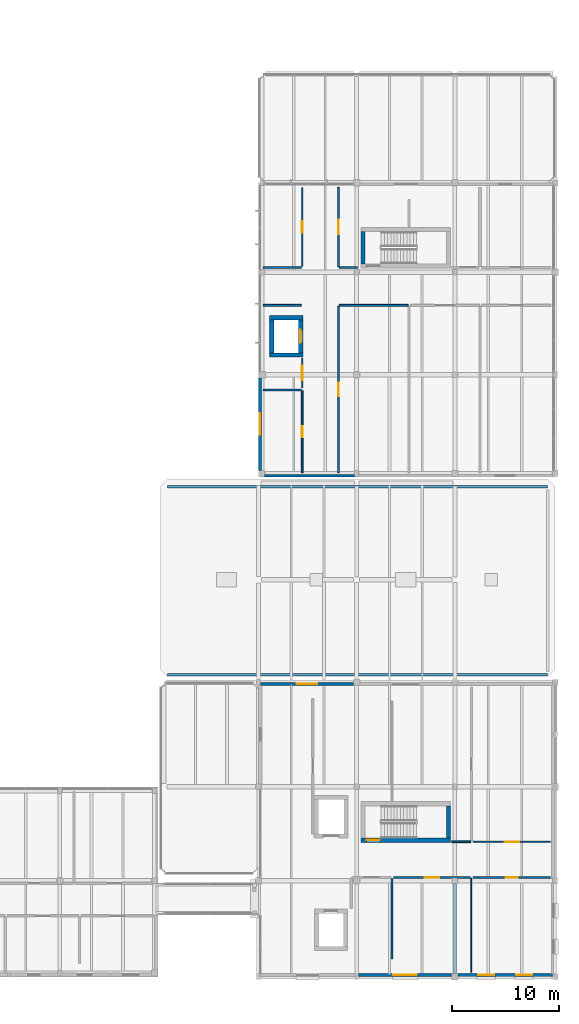
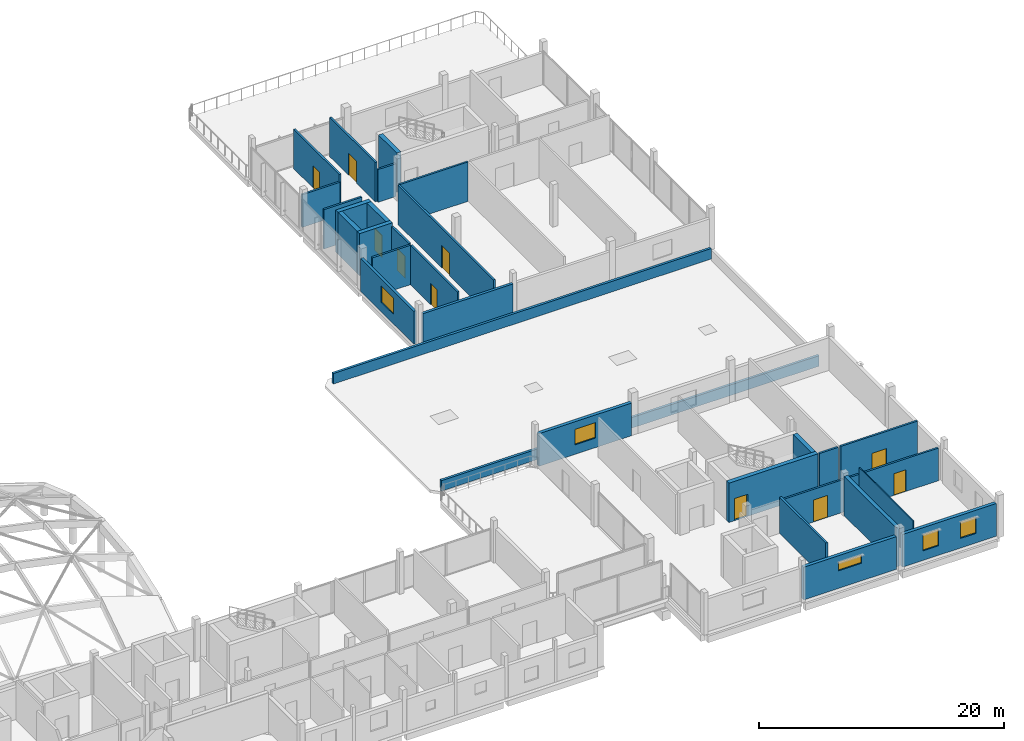
# One storey, part 28 of 41: 31 walls, 10 doors, 5 windows, 15 openings.
"""IFC4 building model written with IfcOpenShell, lengths in metres."""

from ifc_helpers import new_model, si_unit, direction, frame, frame_2d, origin, place, context, subcontext, project, spatial, rectangle, extrude, material, layer, layer_set, type_object, element, fill, save


model = new_model("IFC4")

# Units and contexts
model_context = context("Model", 3, precision=1e-05, world=origin(), true_north=direction((0.0, 1.0)))
body_context = subcontext(model_context, "Body", "Model", "MODEL_VIEW")
ifc_project = project(units=[si_unit("LENGTHUNIT", "METRE"), si_unit("AREAUNIT", "SQUARE_METRE"), si_unit("VOLUMEUNIT", "CUBIC_METRE"), si_unit("PLANEANGLEUNIT", "RADIAN"), si_unit("MASSUNIT", "GRAM", prefix="KILO")], contexts=[model_context])

# Site, building, storey
site_placement = place(None, origin())
site = spatial("IfcSite", under=ifc_project, at=site_placement, CompositionType="ELEMENT")
building_placement = place(site_placement, origin())
building = spatial("IfcBuilding", under=site, at=building_placement, Name="Birchvale Park Specialist Clinic", CompositionType="ELEMENT")
storey_placement = place(building_placement, frame((0.0, 0.0, 9.60009765625)))
storey = spatial("IfcBuildingStorey", under=building, at=storey_placement, Name="L02", CompositionType="ELEMENT", Elevation=9.60009765625)

# Wall
ifc_material_1 = material(Name="Concrete C40/50", Category="concrete")
ifc_layer_1 = layer(ifc_material_1, 0.39990234375)
ifc_layer_set_1 = layer_set([ifc_layer_1], Name="Concrete C40/50")
wall_type_1 = type_object("IfcWallType", Name="WL-CW-120", PredefinedType="SHEAR", material=ifc_layer_set_1)
wall_1_placement = place(storey_placement, frame((137.800048828125, 83.60009765625, 0.0), z_axis=(0.0, 0.0, 1.0), x_axis=(0.0, 1.0, 0.0)))
element("IfcWall", 1, at=wall_1_placement, inside=storey, type_object=wall_type_1, Name="L02 stair ST3 EI 120 enclosure wall (west)", PredefinedType="SHEAR", context=body_context, shape_type="SweptSolid", body=[
    extrude(rectangle(XDim=3.0, YDim=0.39990234375, at=frame_2d((1.5, 0.0))), origin(), (0.0, 0.0, 1.0), 3.919921875),
])

# Wall, opening, door
wall_2_placement = place(storey_placement, frame((137.60009765625, 29.60009765625, 0.0), z_axis=(0.0, 0.0, 1.0), x_axis=(1.0, 0.0, 0.0)))
wall_2 = element("IfcWall", 2, at=wall_2_placement, inside=storey, type_object=wall_type_1, Name="L02 stair ST6 EI 120 enclosure wall (south)", PredefinedType="SHEAR", context=body_context, shape_type="SweptSolid", body=[
    extrude(rectangle(XDim=8.39990234375, YDim=0.39990234375, at=frame_2d((4.199951171875, 0.0))), origin(), (0.0, 0.0, 1.0), 3.919921875),
])
opening_1_placement = place(wall_2_placement, frame((0.52001953125, 0.0, 0.0)))
opening_1 = element("IfcOpeningElement", 3, at=opening_1_placement, cuts=wall_2, Name="Opening ID-FD60", PredefinedType="OPENING", context=body_context, shape_type="SweptSolid", body=[
    extrude(rectangle(XDim=1.25, YDim=2.199951171875, at=frame_2d((0.625, 1.10009765625))), frame((0.0, 0.2099609375, 0.0), z_axis=(0.0, -1.0, 0.0), x_axis=(1.0, 0.0, 0.0)), (0.0, 0.0, 1.0), 0.419921875),
])
ifc_material_2 = material(Name="Solid-core birch veneer and anodised aluminium", Category="aluminium")
door_type_1 = type_object("IfcDoorType", Name="DR-ID-FD60", OperationType="NOTDEFINED", PredefinedType="DOOR", material=ifc_material_2)
door_1_placement = place(opening_1_placement, origin())
door_1 = element("IfcDoor", 4, at=door_1_placement, inside=storey, type_object=door_type_1, Name="L02 stair ST6 fire door", OperationType="SINGLE_SWING_LEFT", OverallHeight=2.199951171875, OverallWidth=1.25, PredefinedType="DOOR", context=body_context, shape_type="SweptSolid", body=[
    extrude(rectangle(XDim=1.25, YDim=2.199951171875, at=frame_2d((0.625, 1.10009765625))), frame((0.0, 0.02490234375, 0.0), z_axis=(0.0, -1.0, 0.0), x_axis=(1.0, 0.0, 0.0)), (0.0, 0.0, 1.0), 0.050048828125),
])
fill(opening_1, door_1)

# Walls
wall_3_placement = place(storey_placement, frame((145.800048828125, 32.800048828125, 0.0), z_axis=(0.0, 0.0, 1.0), x_axis=(0.0, -1.0, 0.0)))
element("IfcWall", 5, at=wall_3_placement, inside=storey, type_object=wall_type_1, Name="L02 stair ST6 EI 120 enclosure wall (east)", PredefinedType="SHEAR", context=body_context, shape_type="SweptSolid", body=[
    extrude(rectangle(XDim=3.0, YDim=0.39990234375, at=frame_2d((1.5, 0.0))), origin(), (0.0, 0.0, 1.0), 3.919921875),
])
for number, where, z_axis, x_axis, name in (
    (6, (129.050048828125, 75.050048828125, 0.0), (0.0, 0.0, 1.0), (1.0, 0.0, 0.0), "L02 lift LP2 shaft wall (south)"),
    (7, (132.14990234375, 78.550048828125, 0.0), (0.0, 0.0, 1.0), (-1.0, 0.0, 0.0), "L02 lift LP2 shaft wall (north)"),
):
    element("IfcWall", number, at=place(storey_placement, frame(where, z_axis=z_axis, x_axis=x_axis)), inside=storey, type_object=wall_type_1, Name=name, PredefinedType="SHEAR", context=body_context, shape_type="SweptSolid", body=[
        extrude(rectangle(XDim=3.099853515625, YDim=0.39990234375, at=frame_2d((1.5498046875, 0.0))), origin(), (0.0, 0.0, 1.0), 4.199951171875),
    ])
wall_4_placement = place(storey_placement, frame((129.25, 75.25, 0.0), z_axis=(0.0, 0.0, 1.0), x_axis=(0.0, 1.0, 0.0)))
element("IfcWall", 8, at=wall_4_placement, inside=storey, type_object=wall_type_1, Name="L02 lift LP2 shaft wall (west)", PredefinedType="SHEAR", context=body_context, shape_type="SweptSolid", body=[
    extrude(rectangle(XDim=3.10009765625, YDim=0.39990234375, at=frame_2d((1.550048828125, 0.0))), origin(), (0.0, 0.0, 1.0), 4.199951171875),
])

# Wall, opening, door
wall_5_placement = place(storey_placement, frame((131.949951171875, 78.35009765625, 0.0), z_axis=(0.0, 0.0, 1.0), x_axis=(0.0, -1.0, 0.0)))
wall_5 = element("IfcWall", 9, at=wall_5_placement, inside=storey, type_object=wall_type_1, Name="L02 lift LP2 shaft wall (east)", PredefinedType="SHEAR", context=body_context, shape_type="SweptSolid", body=[
    extrude(rectangle(XDim=3.10009765625, YDim=0.39990234375, at=frame_2d((1.550048828125, 0.0))), origin(), (0.0, 0.0, 1.0), 4.199951171875),
])
opening_2_placement = place(wall_5_placement, frame((0.949951171875, 0.0, 0.0)))
opening_2 = element("IfcOpeningElement", 10, at=opening_2_placement, cuts=wall_5, Name="Opening LD-01", PredefinedType="OPENING", context=body_context, shape_type="SweptSolid", body=[
    extrude(rectangle(XDim=1.199951171875, YDim=2.199951171875, at=frame_2d((0.60009765625, 1.10009765625))), frame((0.0, 0.2099609375, 0.0), z_axis=(0.0, -1.0, 0.0), x_axis=(1.0, 0.0, 0.0)), (0.0, 0.0, 1.0), 0.419921875),
])
door_type_2 = type_object("IfcDoorType", Name="DR-LD-01", OperationType="DOUBLE_DOOR_SLIDING", PredefinedType="DOOR", material=ifc_material_2)
door_2_placement = place(opening_2_placement, origin())
door_2 = element("IfcDoor", 11, at=door_2_placement, inside=storey, type_object=door_type_2, Name="L02 lift LP2 sliding landing door", OperationType="DOUBLE_DOOR_SLIDING", OverallHeight=2.199951171875, OverallWidth=1.199951171875, PredefinedType="DOOR", context=body_context, shape_type="SweptSolid", body=[
    extrude(rectangle(XDim=1.199951171875, YDim=2.199951171875, at=frame_2d((0.60009765625, 1.10009765625))), frame((0.0, 0.02490234375, 0.0), z_axis=(0.0, -1.0, 0.0), x_axis=(1.0, 0.0, 0.0)), (0.0, 0.0, 1.0), 0.050048828125),
])
fill(opening_2, door_2)

# Wall, opening, window
ifc_material_3 = material(Name="Lime-white mineral-rendered insulated masonry", Category="masonry")
ifc_layer_2 = layer(ifc_material_3, 0.31005859375)
ifc_layer_set_2 = layer_set([ifc_layer_2], Name="Lime-white mineral-rendered insulated masonry")
wall_type_2 = type_object("IfcWallType", Name="WL-EW-02", PredefinedType="STANDARD", material=ifc_layer_set_2)
wall_6_placement = place(storey_placement, frame((137.3701171875, 16.97509765625, 0.0), z_axis=(0.0, 0.0, 1.0), x_axis=(1.0, 0.0, 0.0)))
wall_6 = element("IfcWall", 12, at=wall_6_placement, inside=storey, type_object=wall_type_2, Name="V5 L02 exterior facade wall 213", PredefinedType="STANDARD", context=body_context, shape_type="SweptSolid", body=[
    extrude(rectangle(XDim=8.73486328125, YDim=0.31005859375, at=frame_2d((4.367431640625, 0.0))), origin(), (0.0, 0.0, 1.0), 3.2548828125),
])
opening_3_placement = place(wall_6_placement, frame((3.267578125, 0.0, 1.75)))
opening_3 = element("IfcOpeningElement", 13, at=opening_3_placement, cuts=wall_6, Name="Opening W-CL10", PredefinedType="OPENING", context=body_context, shape_type="SweptSolid", body=[
    extrude(rectangle(XDim=2.199951171875, YDim=0.85009765625, at=frame_2d((1.10009765625, 0.425048828125))), frame((0.0, 0.1650390625, 0.0), z_axis=(0.0, -1.0, 0.0), x_axis=(1.0, 0.0, 0.0)), (0.0, 0.0, 1.0), 0.330078125),
])
ifc_material_4 = material(Name="Solar-control low-E double glazing", Category="glass")
window_type_1 = type_object("IfcWindowType", Name="WIN-W-CL10", PartitioningType="SINGLE_PANEL", PredefinedType="WINDOW", material=ifc_material_4)
window_1_placement = place(opening_3_placement, origin())
window_1 = element("IfcWindow", 14, at=window_1_placement, inside=storey, type_object=window_type_1, Name="V5 L02 cased window 80", OverallHeight=0.85009765625, OverallWidth=2.199951171875, PartitioningType="SINGLE_PANEL", PredefinedType="WINDOW", context=body_context, shape_type="SweptSolid", body=[
    extrude(rectangle(XDim=2.199951171875, YDim=0.85009765625, at=frame_2d((1.10009765625, 0.425048828125))), frame((0.0, 0.030029296875, 0.0), z_axis=(0.0, -1.0, 0.0), x_axis=(1.0, 0.0, 0.0)), (0.0, 0.0, 1.0), 0.06005859375),
])
fill(opening_3, window_1)

# Wall, openings, windows
wall_7_placement = place(storey_placement, frame((146.695068359375, 16.97509765625, 0.0), z_axis=(0.0, 0.0, 1.0), x_axis=(1.0, 0.0, 0.0)))
wall_7 = element("IfcWall", 15, at=wall_7_placement, inside=storey, type_object=wall_type_2, Name="V5 L02 exterior facade wall 214", PredefinedType="STANDARD", context=body_context, shape_type="SweptSolid", body=[
    extrude(rectangle(XDim=8.8349609375, YDim=0.31005859375, at=frame_2d((4.41748046875, 0.0))), origin(), (0.0, 0.0, 1.0), 3.2548828125),
])
opening_4_placement = place(wall_7_placement, frame((1.900390625, 0.0, 0.949951171875)))
opening_4 = element("IfcOpeningElement", 16, at=opening_4_placement, cuts=wall_7, Name="Opening W-CL03", PredefinedType="OPENING", context=body_context, shape_type="SweptSolid", body=[
    extrude(rectangle(XDim=1.5, YDim=1.64990234375, at=frame_2d((0.75, 0.824951171875))), frame((0.0, 0.1650390625, 0.0), z_axis=(0.0, -1.0, 0.0), x_axis=(1.0, 0.0, 0.0)), (0.0, 0.0, 1.0), 0.330078125),
])
opening_5_placement = place(wall_7_placement, frame((5.4345703125, 0.0, 0.949951171875)))
opening_5 = element("IfcOpeningElement", 17, at=opening_5_placement, cuts=wall_7, Name="Opening W-CL03", PredefinedType="OPENING", context=body_context, shape_type="SweptSolid", body=[
    extrude(rectangle(XDim=1.5, YDim=1.64990234375, at=frame_2d((0.75, 0.824951171875))), frame((0.0, 0.1650390625, 0.0), z_axis=(0.0, -1.0, 0.0), x_axis=(1.0, 0.0, 0.0)), (0.0, 0.0, 1.0), 0.330078125),
])
window_type_2 = type_object("IfcWindowType", Name="WIN-W-CL03", PartitioningType="SINGLE_PANEL", PredefinedType="WINDOW", material=ifc_material_4)
window_2_placement = place(opening_4_placement, origin())
window_2 = element("IfcWindow", 18, at=window_2_placement, inside=storey, type_object=window_type_2, Name="V5 L02 cased window 81", OverallHeight=1.64990234375, OverallWidth=1.5, PartitioningType="SINGLE_PANEL", PredefinedType="WINDOW", context=body_context, shape_type="SweptSolid", body=[
    extrude(rectangle(XDim=1.5, YDim=1.64990234375, at=frame_2d((0.75, 0.824951171875))), frame((0.0, 0.030029296875, 0.0), z_axis=(0.0, -1.0, 0.0), x_axis=(1.0, 0.0, 0.0)), (0.0, 0.0, 1.0), 0.06005859375),
])
fill(opening_4, window_2)
window_3_placement = place(opening_5_placement, origin())
window_3 = element("IfcWindow", 19, at=window_3_placement, inside=storey, type_object=window_type_2, Name="V5 L02 cased window 82", OverallHeight=1.64990234375, OverallWidth=1.5, PartitioningType="SINGLE_PANEL", PredefinedType="WINDOW", context=body_context, shape_type="SweptSolid", body=[
    extrude(rectangle(XDim=1.5, YDim=1.64990234375, at=frame_2d((0.75, 0.824951171875))), frame((0.0, 0.030029296875, 0.0), z_axis=(0.0, -1.0, 0.0), x_axis=(1.0, 0.0, 0.0)), (0.0, 0.0, 1.0), 0.06005859375),
])
fill(opening_5, window_3)

# Wall, opening, window
wall_8_placement = place(storey_placement, frame((136.905029296875, 44.22509765625, 0.0), z_axis=(0.0, 0.0, 1.0), x_axis=(-1.0, 0.0, 0.0)))
wall_8 = element("IfcWall", 20, at=wall_8_placement, inside=storey, type_object=wall_type_2, Name="V5 L02 exterior facade wall 220", PredefinedType="STANDARD", context=body_context, shape_type="SweptSolid", body=[
    extrude(rectangle(XDim=8.735107421875, YDim=0.31005859375, at=frame_2d((4.36767578125, 0.0))), origin(), (0.0, 0.0, 1.0), 3.2548828125),
])
opening_6_placement = place(wall_8_placement, frame((3.392578125, 0.0, 0.949951171875)))
opening_6 = element("IfcOpeningElement", 21, at=opening_6_placement, cuts=wall_8, Name="Opening W-CL17", PredefinedType="OPENING", context=body_context, shape_type="SweptSolid", body=[
    extrude(rectangle(XDim=1.949951171875, YDim=1.550048828125, at=frame_2d((0.97509765625, 0.77490234375))), frame((0.0, 0.1650390625, 0.0), z_axis=(0.0, -1.0, 0.0), x_axis=(1.0, 0.0, 0.0)), (0.0, 0.0, 1.0), 0.330078125),
])
window_type_3 = type_object("IfcWindowType", Name="WIN-W-CL17", PartitioningType="SINGLE_PANEL", PredefinedType="WINDOW", material=ifc_material_4)
window_4_placement = place(opening_6_placement, origin())
window_4 = element("IfcWindow", 22, at=window_4_placement, inside=storey, type_object=window_type_3, Name="V5 L02 cased window 86", OverallHeight=1.550048828125, OverallWidth=1.949951171875, PartitioningType="SINGLE_PANEL", PredefinedType="WINDOW", context=body_context, shape_type="SweptSolid", body=[
    extrude(rectangle(XDim=1.949951171875, YDim=1.550048828125, at=frame_2d((0.97509765625, 0.77490234375))), frame((0.0, 0.030029296875, 0.0), z_axis=(0.0, -1.0, 0.0), x_axis=(1.0, 0.0, 0.0)), (0.0, 0.0, 1.0), 0.06005859375),
])
fill(opening_6, window_4)

# Wall
ifc_layer_3 = layer(ifc_material_3, 0.25)
ifc_layer_set_3 = layer_set([ifc_layer_3], Name="Lime-white mineral-rendered insulated masonry")
wall_type_3 = type_object("IfcWallType", Name="WL-EW-05", PredefinedType="STANDARD", material=ifc_layer_set_3)
wall_9_placement = place(storey_placement, frame((128.554931640625, 63.7451171875, 0.0), z_axis=(0.0, 0.0, 1.0), x_axis=(1.0, 0.0, 0.0)))
element("IfcWall", 23, at=wall_9_placement, inside=storey, type_object=wall_type_3, Name="V6 L02 exterior facade wall 222", PredefinedType="STANDARD", context=body_context, shape_type="SweptSolid", body=[
    extrude(rectangle(XDim=8.465087890625, YDim=0.25, at=frame_2d((4.232421875, 0.0))), origin(), (0.0, 0.0, 1.0), 3.219970703125),
])

# Wall, opening, window
wall_10_placement = place(storey_placement, frame((128.14501953125, 72.9150390625, 0.0), z_axis=(0.0, 0.0, 1.0), x_axis=(0.0, -1.0, 0.0)))
wall_10 = element("IfcWall", 24, at=wall_10_placement, inside=storey, type_object=wall_type_3, Name="V6 L02 exterior facade wall 227", PredefinedType="STANDARD", context=body_context, shape_type="SweptSolid", body=[
    extrude(rectangle(XDim=8.679931640625, YDim=0.25, at=frame_2d((4.33984375, 0.0))), origin(), (0.0, 0.0, 1.0), 3.27001953125),
])
opening_7_placement = place(wall_10_placement, frame((3.340087890625, 0.0, 0.949951171875)))
opening_7 = element("IfcOpeningElement", 25, at=opening_7_placement, cuts=wall_10, Name="Opening W-CL06", PredefinedType="OPENING", context=body_context, shape_type="SweptSolid", body=[
    extrude(rectangle(XDim=2.0, YDim=1.60009765625, at=frame_2d((1.0, 0.800048828125))), frame((0.0, 0.135009765625, 0.0), z_axis=(0.0, -1.0, 0.0), x_axis=(1.0, 0.0, 0.0)), (0.0, 0.0, 1.0), 0.27001953125),
])
window_type_4 = type_object("IfcWindowType", Name="WIN-W-CL06", PartitioningType="SINGLE_PANEL", PredefinedType="WINDOW", material=ifc_material_4)
window_5_placement = place(opening_7_placement, origin())
window_5 = element("IfcWindow", 26, at=window_5_placement, inside=storey, type_object=window_type_4, Name="V6 L02 cased window 89", OverallHeight=1.60009765625, OverallWidth=2.0, PartitioningType="SINGLE_PANEL", PredefinedType="WINDOW", context=body_context, shape_type="SweptSolid", body=[
    extrude(rectangle(XDim=2.0, YDim=1.60009765625, at=frame_2d((1.0, 0.800048828125))), frame((0.0, 0.030029296875, 0.0), z_axis=(0.0, -1.0, 0.0), x_axis=(1.0, 0.0, 0.0)), (0.0, 0.0, 1.0), 0.06005859375),
])
fill(opening_7, window_5)

# Walls
ifc_material_5 = material(Name="Acoustic gypsum board on metal framing")
ifc_layer_4 = layer(ifc_material_5, 0.10009765625)
ifc_layer_set_4 = layer_set([ifc_layer_4], Name="Acoustic gypsum board on metal framing")
wall_type_4 = type_object("IfcWallType", Name="WL-IW-06", PredefinedType="PARTITIONING", material=ifc_layer_set_4)
wall_11_placement = place(storey_placement, frame((147.953369140625, 26.02001953125, 0.0), z_axis=(0.0, 0.0, 1.0), x_axis=(0.0, -1.0, 0.0)))
element("IfcWall", 27, at=wall_11_placement, inside=storey, type_object=wall_type_4, Name="V5 L02 clinical partition 466", PredefinedType="PARTITIONING", context=body_context, shape_type="SweptSolid", body=[
    extrude(rectangle(XDim=8.780029296875, YDim=0.10009765625, at=frame_2d((4.39013671875, 0.0))), origin(), (0.0, 0.0, 1.0), 3.919921875),
])
ifc_layer_5 = layer(ifc_material_5, 0.195068359375)
ifc_layer_set_5 = layer_set([ifc_layer_5], Name="Acoustic gypsum board on metal framing")
wall_type_5 = type_object("IfcWallType", Name="WL-IW-07", PredefinedType="PARTITIONING", material=ifc_layer_set_5)
wall_12_placement = place(storey_placement, frame((140.506591796875, 26.02001953125, 0.0), z_axis=(0.0, 0.0, 1.0), x_axis=(0.0, -1.0, 0.0)))
element("IfcWall", 28, at=wall_12_placement, inside=storey, type_object=wall_type_5, Name="V5 L02 clinical partition 464", PredefinedType="PARTITIONING", context=body_context, shape_type="SweptSolid", body=[
    extrude(rectangle(XDim=7.544921875, YDim=0.195068359375, at=frame_2d((3.7724609375, 0.0))), origin(), (0.0, 0.0, 1.0), 3.598876953125),
])
wall_13_placement = place(storey_placement, frame((128.43994140625, 71.7900390625, 0.0), z_axis=(0.0, 0.0, 1.0), x_axis=(1.0, 0.0, 0.0)))
element("IfcWall", 29, at=wall_13_placement, inside=storey, type_object=wall_type_5, Name="V6 L02 clinical partition 473", PredefinedType="PARTITIONING", context=body_context, shape_type="SweptSolid", body=[
    extrude(rectangle(XDim=3.580078125, YDim=0.195068359375, at=frame_2d((1.7900390625, 0.0))), origin(), (0.0, 0.0, 1.0), 3.919921875),
])

# Wall, opening, door
ifc_layer_6 = layer(ifc_material_5, 0.179931640625)
ifc_layer_set_6 = layer_set([ifc_layer_6], Name="Acoustic gypsum board on metal framing")
wall_type_6 = type_object("IfcWallType", Name="WL-IW-60", PredefinedType="PARTITIONING", material=ifc_layer_set_6)
wall_14_placement = place(storey_placement, frame((140.666748046875, 26.10009765625, 0.0), z_axis=(0.0, 0.0, 1.0), x_axis=(1.0, 0.0, 0.0)))
wall_14 = element("IfcWall", 30, at=wall_14_placement, inside=storey, type_object=wall_type_6, Name="V5 L02 clinical partition 465", PredefinedType="PARTITIONING", context=body_context, shape_type="SweptSolid", body=[
    extrude(rectangle(XDim=7.20654296875, YDim=0.179931640625, at=frame_2d((3.603271484375, 0.0))), origin(), (0.0, 0.0, 1.0), 3.2548828125),
])
opening_8_placement = place(wall_14_placement, frame((2.92822265625, 0.0, 0.0)))
opening_8 = element("IfcOpeningElement", 31, at=opening_8_placement, cuts=wall_14, Name="Opening ID-FD30", PredefinedType="OPENING", context=body_context, shape_type="SweptSolid", body=[
    extrude(rectangle(XDim=1.35009765625, YDim=2.199951171875, at=frame_2d((0.675048828125, 1.10009765625))), frame((0.0, 0.10009765625, 0.0), z_axis=(0.0, -1.0, 0.0), x_axis=(1.0, 0.0, 0.0)), (0.0, 0.0, 1.0), 0.199951171875),
])
door_type_3 = type_object("IfcDoorType", Name="DR-ID-FD30", OperationType="NOTDEFINED", PredefinedType="DOOR", material=ifc_material_2)
door_3_placement = place(opening_8_placement, origin())
door_3 = element("IfcDoor", 32, at=door_3_placement, inside=storey, type_object=door_type_3, Name="L02 Oncology IV Preparation Cleanroom door", OperationType="SINGLE_SWING_RIGHT", OverallHeight=2.199951171875, OverallWidth=1.35009765625, PredefinedType="DOOR", context=body_context, shape_type="SweptSolid", body=[
    extrude(rectangle(XDim=1.35009765625, YDim=2.199951171875, at=frame_2d((0.675048828125, 1.10009765625))), frame((0.0, 0.02490234375, 0.0), z_axis=(0.0, -1.0, 0.0), x_axis=(1.0, 0.0, 0.0)), (0.0, 0.0, 1.0), 0.050048828125),
])
fill(opening_8, door_3)

wall_15_placement = place(storey_placement, frame((148.11328125, 26.10009765625, 0.0), z_axis=(0.0, 0.0, 1.0), x_axis=(1.0, 0.0, 0.0)))
wall_15 = element("IfcWall", 33, at=wall_15_placement, inside=storey, type_object=wall_type_6, Name="V5 L02 clinical partition 467", PredefinedType="PARTITIONING", context=body_context, shape_type="SweptSolid", body=[
    extrude(rectangle(XDim=7.246826171875, YDim=0.179931640625, at=frame_2d((3.62353515625, 0.0))), origin(), (0.0, 0.0, 1.0), 3.2548828125),
])
opening_9_placement = place(wall_15_placement, frame((3.0634765625, 0.0, 0.0)))
opening_9 = element("IfcOpeningElement", 34, at=opening_9_placement, cuts=wall_15, Name="Opening ID-11", PredefinedType="OPENING", context=body_context, shape_type="SweptSolid", body=[
    extrude(rectangle(XDim=1.1201171875, YDim=2.159912109375, at=frame_2d((0.56005859375, 1.080078125))), frame((0.0, 0.10009765625, 0.0), z_axis=(0.0, -1.0, 0.0), x_axis=(1.0, 0.0, 0.0)), (0.0, 0.0, 1.0), 0.199951171875),
])
door_type_4 = type_object("IfcDoorType", Name="DR-ID-11", OperationType="NOTDEFINED", PredefinedType="DOOR", material=ifc_material_2)
door_4_placement = place(opening_9_placement, origin())
door_4 = element("IfcDoor", 35, at=door_4_placement, inside=storey, type_object=door_type_4, Name="L02 Quality-Control Analytical Lab door", OperationType="SINGLE_SWING_LEFT", OverallHeight=2.159912109375, OverallWidth=1.1201171875, PredefinedType="DOOR", context=body_context, shape_type="SweptSolid", body=[
    extrude(rectangle(XDim=1.1201171875, YDim=2.159912109375, at=frame_2d((0.56005859375, 1.080078125))), frame((0.0, 0.02490234375, 0.0), z_axis=(0.0, -1.0, 0.0), x_axis=(1.0, 0.0, 0.0)), (0.0, 0.0, 1.0), 0.050048828125),
])
fill(opening_9, door_4)

# Wall
wall_16_placement = place(storey_placement, frame((147.873291015625, 29.449951171875, 0.0), z_axis=(0.0, 0.0, 1.0), x_axis=(-1.0, 0.0, 0.0)))
element("IfcWall", 36, at=wall_16_placement, inside=storey, type_object=wall_type_6, Name="V5 L02 clinical partition 471", PredefinedType="PARTITIONING", context=body_context, shape_type="SweptSolid", body=[
    extrude(rectangle(XDim=1.773193359375, YDim=0.179931640625, at=frame_2d((0.88671875, 0.0))), origin(), (0.0, 0.0, 1.0), 3.919921875),
])

# Wall, opening, door
wall_17_placement = place(storey_placement, frame((155.360107421875, 29.449951171875, 0.0), z_axis=(0.0, 0.0, 1.0), x_axis=(-1.0, 0.0, 0.0)))
wall_17 = element("IfcWall", 37, at=wall_17_placement, inside=storey, type_object=wall_type_6, Name="V5 L02 clinical partition 472", PredefinedType="PARTITIONING", context=body_context, shape_type="SweptSolid", body=[
    extrude(rectangle(XDim=7.246826171875, YDim=0.179931640625, at=frame_2d((3.62353515625, 0.0))), origin(), (0.0, 0.0, 1.0), 3.919921875),
])
opening_10_placement = place(wall_17_placement, frame((2.948486328125, 0.0, 0.0)))
opening_10 = element("IfcOpeningElement", 38, at=opening_10_placement, cuts=wall_17, Name="Opening ID-FD30", PredefinedType="OPENING", context=body_context, shape_type="SweptSolid", body=[
    extrude(rectangle(XDim=1.35009765625, YDim=2.199951171875, at=frame_2d((0.675048828125, 1.10009765625))), frame((0.0, 0.10009765625, 0.0), z_axis=(0.0, -1.0, 0.0), x_axis=(1.0, 0.0, 0.0)), (0.0, 0.0, 1.0), 0.199951171875),
])
door_5_placement = place(opening_10_placement, origin())
door_5 = element("IfcDoor", 39, at=door_5_placement, inside=storey, type_object=door_type_3, Name="L02 Sterile Compounding Cleanroom door", OperationType="SINGLE_SWING_RIGHT", OverallHeight=2.199951171875, OverallWidth=1.35009765625, PredefinedType="DOOR", context=body_context, shape_type="SweptSolid", body=[
    extrude(rectangle(XDim=1.35009765625, YDim=2.199951171875, at=frame_2d((0.675048828125, 1.10009765625))), frame((0.0, 0.02490234375, 0.0), z_axis=(0.0, -1.0, 0.0), x_axis=(1.0, 0.0, 0.0)), (0.0, 0.0, 1.0), 0.050048828125),
])
fill(opening_10, door_5)

wall_18_placement = place(storey_placement, frame((132.10009765625, 71.7099609375, 0.0), z_axis=(0.0, 0.0, 1.0), x_axis=(0.0, -1.0, 0.0)))
wall_18 = element("IfcWall", 40, at=wall_18_placement, inside=storey, type_object=wall_type_6, Name="V6 L02 clinical partition 474", PredefinedType="PARTITIONING", context=body_context, shape_type="SweptSolid", body=[
    extrude(rectangle(XDim=7.669921875, YDim=0.179931640625, at=frame_2d((3.8349609375, 0.0))), origin(), (0.0, 0.0, 1.0), 3.919921875),
])
opening_11_placement = place(wall_18_placement, frame((3.31494140625, 0.0, 0.0)))
opening_11 = element("IfcOpeningElement", 41, at=opening_11_placement, cuts=wall_18, Name="Opening ID-02", PredefinedType="OPENING", context=body_context, shape_type="SweptSolid", body=[
    extrude(rectangle(XDim=1.0400390625, YDim=2.14990234375, at=frame_2d((0.52001953125, 1.074951171875))), frame((0.0, 0.10009765625, 0.0), z_axis=(0.0, -1.0, 0.0), x_axis=(1.0, 0.0, 0.0)), (0.0, 0.0, 1.0), 0.199951171875),
])
door_type_5 = type_object("IfcDoorType", Name="DR-ID-02", OperationType="NOTDEFINED", PredefinedType="DOOR", material=ifc_material_2)
door_6_placement = place(opening_11_placement, origin())
door_6 = element("IfcDoor", 42, at=door_6_placement, inside=storey, type_object=door_type_5, Name="L02 Immunotherapy Research Laboratory door", OperationType="SINGLE_SWING_LEFT", OverallHeight=2.14990234375, OverallWidth=1.0400390625, PredefinedType="DOOR", context=body_context, shape_type="SweptSolid", body=[
    extrude(rectangle(XDim=1.0400390625, YDim=2.14990234375, at=frame_2d((0.52001953125, 1.074951171875))), frame((0.0, 0.02490234375, 0.0), z_axis=(0.0, -1.0, 0.0), x_axis=(1.0, 0.0, 0.0)), (0.0, 0.0, 1.0), 0.050048828125),
])
fill(opening_11, door_6)

wall_19_placement = place(storey_placement, frame((132.10009765625, 74.75, 0.0), z_axis=(0.0, 0.0, 1.0), x_axis=(0.0, -1.0, 0.0)))
wall_19 = element("IfcWall", 43, at=wall_19_placement, inside=storey, type_object=wall_type_6, Name="V6 L02 clinical partition 475", PredefinedType="PARTITIONING", context=body_context, shape_type="SweptSolid", body=[
    extrude(rectangle(XDim=2.800048828125, YDim=0.179931640625, at=frame_2d((1.39990234375, 0.0))), origin(), (0.0, 0.0, 1.0), 3.919921875),
])
opening_12_placement = place(wall_19_placement, frame((0.72509765625, 0.0, 0.0)))
opening_12 = element("IfcOpeningElement", 44, at=opening_12_placement, cuts=wall_19, Name="Opening ID-FD30", PredefinedType="OPENING", context=body_context, shape_type="SweptSolid", body=[
    extrude(rectangle(XDim=1.35009765625, YDim=2.199951171875, at=frame_2d((0.675048828125, 1.10009765625))), frame((0.0, 0.10009765625, 0.0), z_axis=(0.0, -1.0, 0.0), x_axis=(1.0, 0.0, 0.0)), (0.0, 0.0, 1.0), 0.199951171875),
])
door_7_placement = place(opening_12_placement, origin())
door_7 = element("IfcDoor", 45, at=door_7_placement, inside=storey, type_object=door_type_3, Name="L02 Cell-Culture Cleanroom Lab door", OperationType="SINGLE_SWING_RIGHT", OverallHeight=2.199951171875, OverallWidth=1.35009765625, PredefinedType="DOOR", context=body_context, shape_type="SweptSolid", body=[
    extrude(rectangle(XDim=1.35009765625, YDim=2.199951171875, at=frame_2d((0.675048828125, 1.10009765625))), frame((0.0, 0.02490234375, 0.0), z_axis=(0.0, -1.0, 0.0), x_axis=(1.0, 0.0, 0.0)), (0.0, 0.0, 1.0), 0.050048828125),
])
fill(opening_12, door_7)

# Walls
wall_20_placement = place(storey_placement, frame((128.43994140625, 79.699951171875, 0.0), z_axis=(0.0, 0.0, 1.0), x_axis=(1.0, 0.0, 0.0)))
element("IfcWall", 46, at=wall_20_placement, inside=storey, type_object=wall_type_6, Name="V6 L02 clinical partition 476", PredefinedType="PARTITIONING", context=body_context, shape_type="SweptSolid", body=[
    extrude(rectangle(XDim=3.580078125, YDim=0.179931640625, at=frame_2d((1.7900390625, 0.0))), origin(), (0.0, 0.0, 1.0), 3.919921875),
])
wall_21_placement = place(storey_placement, frame((135.580078125, 79.699951171875, 0.0), z_axis=(0.0, 0.0, 1.0), x_axis=(1.0, 0.0, 0.0)))
element("IfcWall", 47, at=wall_21_placement, inside=storey, type_object=wall_type_6, Name="V6 L02 clinical partition 477", PredefinedType="PARTITIONING", context=body_context, shape_type="SweptSolid", body=[
    extrude(rectangle(XDim=6.446533203125, YDim=0.179931640625, at=frame_2d((3.22314453125, 0.0))), origin(), (0.0, 0.0, 1.0), 3.919921875),
])

# Wall, opening, door
wall_22_placement = place(storey_placement, frame((135.5, 64.0400390625, 0.0), z_axis=(0.0, 0.0, 1.0), x_axis=(0.0, 1.0, 0.0)))
wall_22 = element("IfcWall", 48, at=wall_22_placement, inside=storey, type_object=wall_type_6, Name="V6 L02 clinical partition 479", PredefinedType="PARTITIONING", context=body_context, shape_type="SweptSolid", body=[
    extrude(rectangle(XDim=15.580078125, YDim=0.179931640625, at=frame_2d((7.7900390625, 0.0))), origin(), (0.0, 0.0, 1.0), 3.919921875),
])
opening_13_placement = place(wall_22_placement, frame((7.14990234375, 0.0, 0.0)))
opening_13 = element("IfcOpeningElement", 49, at=opening_13_placement, cuts=wall_22, Name="Opening ID-05", PredefinedType="OPENING", context=body_context, shape_type="SweptSolid", body=[
    extrude(rectangle(XDim=1.280029296875, YDim=2.25, at=frame_2d((0.64013671875, 1.125))), frame((0.0, 0.10009765625, 0.0), z_axis=(0.0, -1.0, 0.0), x_axis=(1.0, 0.0, 0.0)), (0.0, 0.0, 1.0), 0.199951171875),
])
door_type_6 = type_object("IfcDoorType", Name="DR-ID-05", OperationType="NOTDEFINED", PredefinedType="DOOR", material=ifc_material_2)
door_8_placement = place(opening_13_placement, origin())
door_8 = element("IfcDoor", 50, at=door_8_placement, inside=storey, type_object=door_type_6, Name="L02 Simulation Teaching Studio door", OperationType="SINGLE_SWING_LEFT", OverallHeight=2.25, OverallWidth=1.280029296875, PredefinedType="DOOR", context=body_context, shape_type="SweptSolid", body=[
    extrude(rectangle(XDim=1.280029296875, YDim=2.25, at=frame_2d((0.64013671875, 1.125))), frame((0.0, 0.02490234375, 0.0), z_axis=(0.0, -1.0, 0.0), x_axis=(1.0, 0.0, 0.0)), (0.0, 0.0, 1.0), 0.050048828125),
])
fill(opening_13, door_8)

# Wall
wall_23_placement = place(storey_placement, frame((132.02001953125, 83.25, 0.0), z_axis=(0.0, 0.0, 1.0), x_axis=(-1.0, 0.0, 0.0)))
element("IfcWall", 51, at=wall_23_placement, inside=storey, type_object=wall_type_6, Name="V6 L02 clinical partition 483", PredefinedType="PARTITIONING", context=body_context, shape_type="SweptSolid", body=[
    extrude(rectangle(XDim=3.580078125, YDim=0.179931640625, at=frame_2d((1.7900390625, 0.0))), origin(), (0.0, 0.0, 1.0), 3.2548828125),
])

# Wall, opening, door
wall_24_placement = place(storey_placement, frame((132.10009765625, 90.760009765625, 0.0), z_axis=(0.0, 0.0, 1.0), x_axis=(0.0, -1.0, 0.0)))
wall_24 = element("IfcWall", 52, at=wall_24_placement, inside=storey, type_object=wall_type_6, Name="V6 L02 clinical partition 484", PredefinedType="PARTITIONING", context=body_context, shape_type="SweptSolid", body=[
    extrude(rectangle(XDim=7.429931640625, YDim=0.179931640625, at=frame_2d((3.71484375, 0.0))), origin(), (0.0, 0.0, 1.0), 3.919921875),
])
opening_14_placement = place(wall_24_placement, frame((3.175048828125, 0.0, 0.0)))
opening_14 = element("IfcOpeningElement", 53, at=opening_14_placement, cuts=wall_24, Name="Opening ID-03", PredefinedType="OPENING", context=body_context, shape_type="SweptSolid", body=[
    extrude(rectangle(XDim=1.080078125, YDim=2.199951171875, at=frame_2d((0.5400390625, 1.10009765625))), frame((0.0, 0.10009765625, 0.0), z_axis=(0.0, -1.0, 0.0), x_axis=(1.0, 0.0, 0.0)), (0.0, 0.0, 1.0), 0.199951171875),
])
door_type_7 = type_object("IfcDoorType", Name="DR-ID-03", OperationType="NOTDEFINED", PredefinedType="DOOR", material=ifc_material_2)
door_9_placement = place(opening_14_placement, origin())
door_9 = element("IfcDoor", 54, at=door_9_placement, inside=storey, type_object=door_type_7, Name="L02 Accessible Staff WC door", OperationType="SINGLE_SWING_LEFT", OverallHeight=2.199951171875, OverallWidth=1.080078125, PredefinedType="DOOR", context=body_context, shape_type="SweptSolid", body=[
    extrude(rectangle(XDim=1.080078125, YDim=2.199951171875, at=frame_2d((0.5400390625, 1.10009765625))), frame((0.0, 0.02490234375, 0.0), z_axis=(0.0, -1.0, 0.0), x_axis=(1.0, 0.0, 0.0)), (0.0, 0.0, 1.0), 0.050048828125),
])
fill(opening_14, door_9)

# Wall
wall_25_placement = place(storey_placement, frame((137.264892578125, 83.25, 0.0), z_axis=(0.0, 0.0, 1.0), x_axis=(-1.0, 0.0, 0.0)))
element("IfcWall", 55, at=wall_25_placement, inside=storey, type_object=wall_type_6, Name="V6 L02 clinical partition 485", PredefinedType="PARTITIONING", context=body_context, shape_type="SweptSolid", body=[
    extrude(rectangle(XDim=1.684814453125, YDim=0.179931640625, at=frame_2d((0.84228515625, 0.0))), origin(), (0.0, 0.0, 1.0), 3.2548828125),
])

# Wall, opening, door
wall_26_placement = place(storey_placement, frame((135.5, 83.330078125, 0.0), z_axis=(0.0, 0.0, 1.0), x_axis=(0.0, 1.0, 0.0)))
wall_26 = element("IfcWall", 56, at=wall_26_placement, inside=storey, type_object=wall_type_6, Name="V6 L02 clinical partition 486", PredefinedType="PARTITIONING", context=body_context, shape_type="SweptSolid", body=[
    extrude(rectangle(XDim=7.429931640625, YDim=0.179931640625, at=frame_2d((3.71484375, 0.0))), origin(), (0.0, 0.0, 1.0), 3.919921875),
])
opening_15_placement = place(wall_26_placement, frame((3.054931640625, 0.0, 0.0)))
opening_15 = element("IfcOpeningElement", 57, at=opening_15_placement, cuts=wall_26, Name="Opening ID-12", PredefinedType="OPENING", context=body_context, shape_type="SweptSolid", body=[
    extrude(rectangle(XDim=1.320068359375, YDim=2.219970703125, at=frame_2d((0.66015625, 1.10986328125))), frame((0.0, 0.10009765625, 0.0), z_axis=(0.0, -1.0, 0.0), x_axis=(1.0, 0.0, 0.0)), (0.0, 0.0, 1.0), 0.199951171875),
])
door_type_8 = type_object("IfcDoorType", Name="DR-ID-12", OperationType="NOTDEFINED", PredefinedType="DOOR", material=ifc_material_2)
door_10_placement = place(opening_15_placement, origin())
door_10 = element("IfcDoor", 58, at=door_10_placement, inside=storey, type_object=door_type_8, Name="L02 Immunotherapy Research Laboratory door", OperationType="SINGLE_SWING_RIGHT", OverallHeight=2.219970703125, OverallWidth=1.320068359375, PredefinedType="DOOR", context=body_context, shape_type="SweptSolid", body=[
    extrude(rectangle(XDim=1.320068359375, YDim=2.219970703125, at=frame_2d((0.66015625, 1.10986328125))), frame((0.0, 0.02490234375, 0.0), z_axis=(0.0, -1.0, 0.0), x_axis=(1.0, 0.0, 0.0)), (0.0, 0.0, 1.0), 0.050048828125),
])
fill(opening_15, door_10)

# Walls
ifc_layer_7 = layer(ifc_material_3, 0.22998046875)
ifc_layer_set_7 = layer_set([ifc_layer_7], Name="Lime-white mineral-rendered insulated masonry")
wall_type_7 = type_object("IfcWallType", Name="WL-PW-01", PredefinedType="PARAPET", material=ifc_layer_set_7)
for number, where, z_axis, x_axis, name in (
    (59, (119.5, 45.10009765625, 0.0), (0.0, 0.0, 1.0), (1.0, 0.0, 0.0), "L02 roof edge parapet 13"),
    (60, (155.10009765625, 62.699951171875, 0.0), (0.0, 0.0, 1.0), (-1.0, 0.0, 0.0), "L02 roof edge parapet 15"),
):
    element("IfcWall", number, at=place(storey_placement, frame(where, z_axis=z_axis, x_axis=x_axis)), inside=storey, type_object=wall_type_7, Name=name, PredefinedType="PARAPET", context=body_context, shape_type="SweptSolid", body=[
        extrude(rectangle(XDim=35.60009765625, YDim=0.22998046875, at=frame_2d((17.800048828125, 0.0))), origin(), (0.0, 0.0, 1.0), 1.0498046875),
    ])
ifc_layer_8 = layer(ifc_material_1, 0.35009765625)
ifc_layer_set_8 = layer_set([ifc_layer_8], Name="Concrete C40/50")
wall_type_8 = type_object("IfcWallType", Name="WL-SW-350", PredefinedType="SHEAR", material=ifc_layer_set_8)
wall_27_placement = place(storey_placement, frame((146.39990234375, 17.10009765625, 0.0), z_axis=(0.0, 0.0, 1.0), x_axis=(0.0, 1.0, 0.0)))
element("IfcWall", 61, at=wall_27_placement, inside=storey, type_object=wall_type_8, Name="V5 L02 coupled seismic shear wall 14", PredefinedType="SHEAR", context=body_context, shape_type="SweptSolid", body=[
    extrude(rectangle(XDim=8.449951171875, YDim=0.35009765625, at=frame_2d((4.22509765625, 0.0))), origin(), (0.0, 0.0, 1.0), 3.919921875),
])

save(model, "model.ifc")
